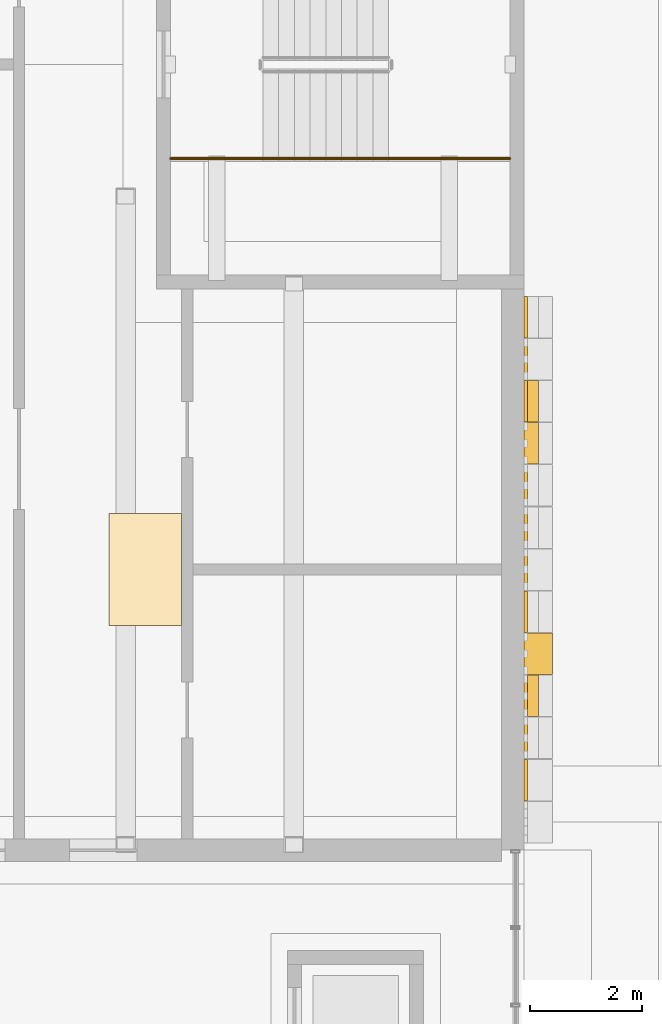
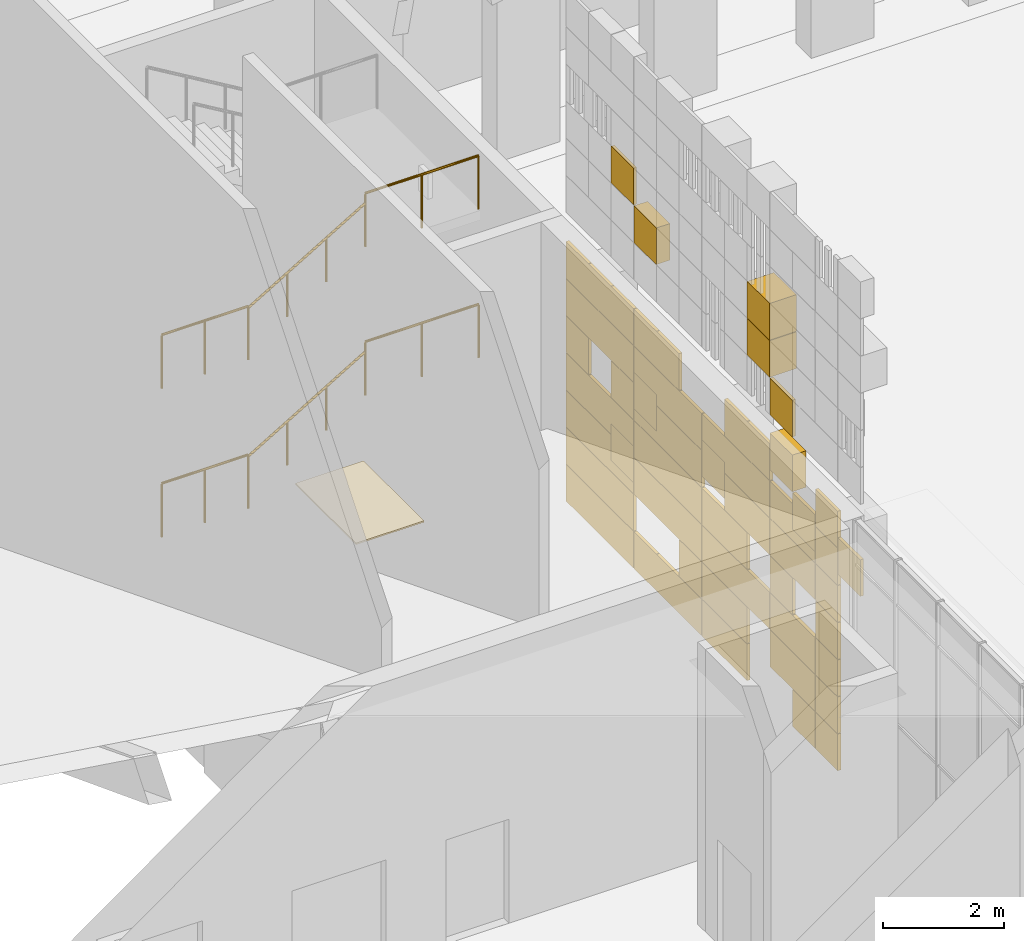
# One storey, part 93 of 125: 6 railings, 3 coverings.
"""IFC4 building model written with IfcOpenShell, lengths in metres."""

from ifc_helpers import new_model, si_unit, direction, frame, origin, origin_2d, place, context, subcontext, project, spatial, polyline, rectangle, circle, outline, extrude, material, layer, layer_set, type_object, element, save


model = new_model("IFC4")

# Units and contexts
model_context = context("Model", 3, precision=1e-05, world=origin(), true_north=direction((0.0, 1.0)))
body_context = subcontext(model_context, "Body", "Model", "MODEL_VIEW")
ifc_project = project(units=[si_unit("LENGTHUNIT", "METRE"), si_unit("AREAUNIT", "SQUARE_METRE"), si_unit("VOLUMEUNIT", "CUBIC_METRE"), si_unit("PLANEANGLEUNIT", "RADIAN"), si_unit("MASSUNIT", "GRAM", prefix="KILO")], contexts=[model_context])

# Site, building, storey
site_placement = place(None, origin())
site = spatial("IfcSite", under=ifc_project, at=site_placement, CompositionType="ELEMENT")
building_placement = place(site_placement, origin())
building = spatial("IfcBuilding", under=site, at=building_placement, Name="Sun Court Science Centre", CompositionType="ELEMENT")
storey_placement = place(building_placement, origin())
storey = spatial("IfcBuildingStorey", under=building, at=storey_placement, Name="L00", CompositionType="ELEMENT", Elevation=0.0)

# Covering
ifc_material_1 = material(Name="Gypsum board")
ifc_layer_1 = layer(ifc_material_1, 0.030029296875)
ifc_layer_set_1 = layer_set([ifc_layer_1], Name="Gypsum board")
covering_type_1 = type_object("IfcCoveringType", Name="Ceiling suspended 600 module", PredefinedType="CEILING", material=ifc_layer_set_1)
covering_1_placement = place(storey_placement, frame((0.0, 0.0, 5.27001953125)))
element("IfcCovering", 1, at=covering_1_placement, inside=storey, type_object=covering_type_1, Name="L00-077 ceiling", PredefinedType="CEILING", context=body_context, shape_type="SweptSolid", body=[
    extrude(outline(polyline([(17.89990234375, 60.0), (17.89990234375, 58.0), (16.60009765625, 58.0), (16.60009765625, 60.0), (17.89990234375, 60.0)])), origin(), (0.0, 0.0, 1.0), 0.030029296875),
])

# Railings
ifc_material_2 = material(Name="Steel S275", Category="steel")
railing_type_1 = type_object("IfcRailingType", Name="Guard 1100 steel balustrade", PredefinedType="GUARDRAIL", material=ifc_material_2)
railing_1_placement = place(storey_placement, frame((21.587890625, 66.326904296875, 1.5)))
element("IfcRailing", 2, at=railing_1_placement, inside=storey, type_object=railing_type_1, Name="L00 ST2 stair guard 3", PredefinedType="GUARDRAIL", context=body_context, shape_type="SweptSolid", body=[
    extrude(circle(Radius=0.02392578125, at=origin_2d()), frame((0.0, 0.0, 1.076171875), z_axis=(1.0, 0.0, 0.0), x_axis=(0.0, 1.0, 0.0)), (0.0, 0.0, 1.0), 2.162109375),
    extrude(circle(Radius=0.02099609375, at=origin_2d()), origin(), (0.0, 0.0, 1.0), 1.052001953125),
    extrude(circle(Radius=0.02099609375, at=origin_2d()), frame((1.0810546875, 0.0, 0.0)), (0.0, 0.0, 1.0), 1.052001953125),
    extrude(circle(Radius=0.02099609375, at=origin_2d()), frame((2.162109375, 0.0, 0.0)), (0.0, 0.0, 1.0), 1.052001953125),
])
railing_2_placement = place(storey_placement, frame((17.699951171875, 66.326904296875, 3.0)))
element("IfcRailing", 3, at=railing_2_placement, inside=storey, type_object=railing_type_1, Name="L00 ST2 stair guard 7", PredefinedType="GUARDRAIL", context=body_context, shape_type="SweptSolid", body=[
    extrude(circle(Radius=0.02392578125, at=origin_2d()), frame((0.0, 0.0, 1.076171875), z_axis=(1.0, 0.0, 0.0), x_axis=(0.0, 1.0, 0.0)), (0.0, 0.0, 1.0), 1.64794921875),
    extrude(circle(Radius=0.02099609375, at=origin_2d()), origin(), (0.0, 0.0, 1.0), 1.052001953125),
    extrude(circle(Radius=0.02099609375, at=origin_2d()), frame((0.823974609375, 0.0, 0.0)), (0.0, 0.0, 1.0), 1.052001953125),
    extrude(circle(Radius=0.02099609375, at=origin_2d()), frame((1.64794921875, 0.0, 0.0)), (0.0, 0.0, 1.0), 1.052001953125),
])
railing_3_placement = place(storey_placement, frame((21.587890625, 66.326904296875, 4.5)))
element("IfcRailing", 4, at=railing_3_placement, inside=storey, type_object=railing_type_1, Name="L00 ST2 stair guard 11", PredefinedType="GUARDRAIL", context=body_context, shape_type="SweptSolid", body=[
    extrude(circle(Radius=0.02392578125, at=origin_2d()), frame((0.0, 0.0, 1.076171875), z_axis=(1.0, 0.0, 0.0), x_axis=(0.0, 1.0, 0.0)), (0.0, 0.0, 1.0), 2.162109375),
    extrude(circle(Radius=0.02099609375, at=origin_2d()), origin(), (0.0, 0.0, 1.0), 1.052001953125),
    extrude(circle(Radius=0.02099609375, at=origin_2d()), frame((1.0810546875, 0.0, 0.0)), (0.0, 0.0, 1.0), 1.052001953125),
    extrude(circle(Radius=0.02099609375, at=origin_2d()), frame((2.162109375, 0.0, 0.0)), (0.0, 0.0, 1.0), 1.052001953125),
])
railing_4_placement = place(storey_placement, frame((17.699951171875, 66.326904296875, 0.0)))
element("IfcRailing", 5, at=railing_4_placement, inside=storey, type_object=railing_type_1, Name="L00 ST2 stair guard 15", PredefinedType="GUARDRAIL", context=body_context, shape_type="SweptSolid", body=[
    extrude(circle(Radius=0.02392578125, at=origin_2d()), frame((0.0, 0.0, 1.076171875), z_axis=(1.0, 0.0, 0.0), x_axis=(0.0, 1.0, 0.0)), (0.0, 0.0, 1.0), 1.64794921875),
    extrude(circle(Radius=0.02099609375, at=origin_2d()), origin(), (0.0, 0.0, 1.0), 1.052001953125),
    extrude(circle(Radius=0.02099609375, at=origin_2d()), frame((0.823974609375, 0.0, 0.0)), (0.0, 0.0, 1.0), 1.052001953125),
    extrude(circle(Radius=0.02099609375, at=origin_2d()), frame((1.64794921875, 0.0, 0.0)), (0.0, 0.0, 1.0), 1.052001953125),
])
ifc_material_3 = material(Name="Stainless steel", Category="steel")
railing_type_2 = type_object("IfcRailingType", Name="Handrail 900 stainless", PredefinedType="HANDRAIL", material=ifc_material_3)
for number, where, name in (
    (6, (19.347900390625, 66.326904296875, 0.166748046875), "L00 ST2 stair handrail 1"),
    (7, (19.347900390625, 66.326904296875, 3.166748046875), "L00 ST2 stair handrail 3"),
):
    element("IfcRailing", number, at=place(storey_placement, frame(where)), inside=storey, type_object=railing_type_2, Name=name, PredefinedType="HANDRAIL", context=body_context, shape_type="SweptSolid", body=[
        extrude(circle(Radius=0.02392578125, at=origin_2d()), frame((0.0, 0.0, 0.8759765625), z_axis=(0.859305625298, 0.0, 0.511462454469), x_axis=(0.0, 1.0, 0.0)), (0.0, 0.0, 1.0), 2.606689453125),
        extrude(circle(Radius=0.02099609375, at=origin_2d()), origin(), (0.0, 0.0, 1.0), 0.851806640625),
        extrude(circle(Radius=0.02099609375, at=origin_2d()), frame((0.74658203125, 0.0, 0.4443359375)), (0.0, 0.0, 1.0), 0.851806640625),
        extrude(circle(Radius=0.02099609375, at=origin_2d()), frame((1.493408203125, 0.0, 0.888916015625)), (0.0, 0.0, 1.0), 0.851806640625),
        extrude(circle(Radius=0.02099609375, at=origin_2d()), frame((2.239990234375, 0.0, 1.333251953125)), (0.0, 0.0, 1.0), 0.851806640625),
    ])

# Coverings
ifc_material_4 = material(Name="Red sandstone", Category="masonry")
ifc_layer_2 = layer(ifc_material_4, 0.06005859375)
ifc_layer_set_2 = layer_set([ifc_layer_2], Name="Red sandstone")
covering_type_2 = type_object("IfcCoveringType", Name="Red sandstone wall cladding 750", PredefinedType="CLADDING", material=ifc_layer_set_2)
covering_2_placement = place(storey_placement, origin())
element("IfcCovering", 8, at=covering_2_placement, inside=storey, type_object=covering_type_2, Name="Red sandstone wall cladding theatre-AUD-east face-L00 L00", PredefinedType="CLADDING", context=body_context, shape_type="SweptSolid", body=[
    extrude(rectangle(XDim=0.739990234375, YDim=0.06005859375, at=origin_2d()), frame((24.030029296875, 63.5, 0.0048828125), z_axis=(0.0, 0.0, 1.0), x_axis=(0.0, -1.0, 0.0)), (0.0, 0.0, 1.0), 0.739990234375),
    extrude(rectangle(XDim=0.739990234375, YDim=0.06005859375, at=origin_2d()), frame((24.030029296875, 62.75, 0.0048828125), z_axis=(0.0, 0.0, 1.0), x_axis=(0.0, -1.0, 0.0)), (0.0, 0.0, 1.0), 0.739990234375),
    extrude(rectangle(XDim=0.739990234375, YDim=0.06005859375, at=origin_2d()), frame((24.030029296875, 62.0, 0.0048828125), z_axis=(0.0, 0.0, 1.0), x_axis=(0.0, -1.0, 0.0)), (0.0, 0.0, 1.0), 0.739990234375),
    extrude(rectangle(XDim=0.739990234375, YDim=0.06005859375, at=origin_2d()), frame((24.030029296875, 61.25, 0.0048828125), z_axis=(0.0, 0.0, 1.0), x_axis=(0.0, -1.0, 0.0)), (0.0, 0.0, 1.0), 0.739990234375),
    extrude(rectangle(XDim=0.739990234375, YDim=0.06005859375, at=origin_2d()), frame((24.030029296875, 60.5, 0.0048828125), z_axis=(0.0, 0.0, 1.0), x_axis=(0.0, -1.0, 0.0)), (0.0, 0.0, 1.0), 0.739990234375),
    extrude(rectangle(XDim=0.739990234375, YDim=0.06005859375, at=origin_2d()), frame((24.030029296875, 59.75, 0.0048828125), z_axis=(0.0, 0.0, 1.0), x_axis=(0.0, -1.0, 0.0)), (0.0, 0.0, 1.0), 0.739990234375),
    extrude(rectangle(XDim=0.739990234375, YDim=0.06005859375, at=origin_2d()), frame((24.030029296875, 59.0, 0.0048828125), z_axis=(0.0, 0.0, 1.0), x_axis=(0.0, -1.0, 0.0)), (0.0, 0.0, 1.0), 0.739990234375),
    extrude(rectangle(XDim=0.739990234375, YDim=0.06005859375, at=origin_2d()), frame((24.030029296875, 58.25, 0.0048828125), z_axis=(0.0, 0.0, 1.0), x_axis=(0.0, -1.0, 0.0)), (0.0, 0.0, 1.0), 0.739990234375),
    extrude(rectangle(XDim=0.739990234375, YDim=0.06005859375, at=origin_2d()), frame((24.030029296875, 56.0, 0.0048828125), z_axis=(0.0, 0.0, 1.0), x_axis=(0.0, -1.0, 0.0)), (0.0, 0.0, 1.0), 0.739990234375),
    extrude(rectangle(XDim=0.739990234375, YDim=0.06005859375, at=origin_2d()), frame((24.030029296875, 55.25, 0.0048828125), z_axis=(0.0, 0.0, 1.0), x_axis=(0.0, -1.0, 0.0)), (0.0, 0.0, 1.0), 0.739990234375),
    extrude(rectangle(XDim=0.739990234375, YDim=0.06005859375, at=origin_2d()), frame((24.030029296875, 63.5, 0.7548828125), z_axis=(0.0, 0.0, 1.0), x_axis=(0.0, -1.0, 0.0)), (0.0, 0.0, 1.0), 0.739990234375),
    extrude(rectangle(XDim=0.739990234375, YDim=0.06005859375, at=origin_2d()), frame((24.030029296875, 62.75, 0.7548828125), z_axis=(0.0, 0.0, 1.0), x_axis=(0.0, -1.0, 0.0)), (0.0, 0.0, 1.0), 0.739990234375),
    extrude(rectangle(XDim=0.739990234375, YDim=0.06005859375, at=origin_2d()), frame((24.030029296875, 62.0, 0.7548828125), z_axis=(0.0, 0.0, 1.0), x_axis=(0.0, -1.0, 0.0)), (0.0, 0.0, 1.0), 0.739990234375),
    extrude(rectangle(XDim=0.739990234375, YDim=0.06005859375, at=origin_2d()), frame((24.030029296875, 59.75, 0.7548828125), z_axis=(0.0, 0.0, 1.0), x_axis=(0.0, -1.0, 0.0)), (0.0, 0.0, 1.0), 0.739990234375),
    extrude(rectangle(XDim=0.739990234375, YDim=0.06005859375, at=origin_2d()), frame((24.030029296875, 59.0, 0.7548828125), z_axis=(0.0, 0.0, 1.0), x_axis=(0.0, -1.0, 0.0)), (0.0, 0.0, 1.0), 0.739990234375),
    extrude(rectangle(XDim=0.739990234375, YDim=0.06005859375, at=origin_2d()), frame((24.030029296875, 58.25, 0.7548828125), z_axis=(0.0, 0.0, 1.0), x_axis=(0.0, -1.0, 0.0)), (0.0, 0.0, 1.0), 0.739990234375),
    extrude(rectangle(XDim=0.739990234375, YDim=0.06005859375, at=origin_2d()), frame((24.030029296875, 56.75, 0.7548828125), z_axis=(0.0, 0.0, 1.0), x_axis=(0.0, -1.0, 0.0)), (0.0, 0.0, 1.0), 0.739990234375),
    extrude(rectangle(XDim=0.739990234375, YDim=0.06005859375, at=origin_2d()), frame((24.030029296875, 56.0, 0.7548828125), z_axis=(0.0, 0.0, 1.0), x_axis=(0.0, -1.0, 0.0)), (0.0, 0.0, 1.0), 0.739990234375),
    extrude(rectangle(XDim=0.739990234375, YDim=0.06005859375, at=origin_2d()), frame((24.030029296875, 55.25, 0.7548828125), z_axis=(0.0, 0.0, 1.0), x_axis=(0.0, -1.0, 0.0)), (0.0, 0.0, 1.0), 0.739990234375),
    extrude(rectangle(XDim=0.739990234375, YDim=0.06005859375, at=origin_2d()), frame((24.030029296875, 63.5, 1.5048828125), z_axis=(0.0, 0.0, 1.0), x_axis=(0.0, -1.0, 0.0)), (0.0, 0.0, 1.0), 0.739990234375),
    extrude(rectangle(XDim=0.739990234375, YDim=0.06005859375, at=origin_2d()), frame((24.030029296875, 62.75, 1.5048828125), z_axis=(0.0, 0.0, 1.0), x_axis=(0.0, -1.0, 0.0)), (0.0, 0.0, 1.0), 0.739990234375),
    extrude(rectangle(XDim=0.739990234375, YDim=0.06005859375, at=origin_2d()), frame((24.030029296875, 62.0, 1.5048828125), z_axis=(0.0, 0.0, 1.0), x_axis=(0.0, -1.0, 0.0)), (0.0, 0.0, 1.0), 0.739990234375),
    extrude(rectangle(XDim=0.739990234375, YDim=0.06005859375, at=origin_2d()), frame((24.030029296875, 61.25, 1.5048828125), z_axis=(0.0, 0.0, 1.0), x_axis=(0.0, -1.0, 0.0)), (0.0, 0.0, 1.0), 0.739990234375),
    extrude(rectangle(XDim=0.739990234375, YDim=0.06005859375, at=origin_2d()), frame((24.030029296875, 60.5, 1.5048828125), z_axis=(0.0, 0.0, 1.0), x_axis=(0.0, -1.0, 0.0)), (0.0, 0.0, 1.0), 0.739990234375),
    extrude(rectangle(XDim=0.739990234375, YDim=0.06005859375, at=origin_2d()), frame((24.030029296875, 59.75, 1.5048828125), z_axis=(0.0, 0.0, 1.0), x_axis=(0.0, -1.0, 0.0)), (0.0, 0.0, 1.0), 0.739990234375),
    extrude(rectangle(XDim=0.739990234375, YDim=0.06005859375, at=origin_2d()), frame((24.030029296875, 59.0, 1.5048828125), z_axis=(0.0, 0.0, 1.0), x_axis=(0.0, -1.0, 0.0)), (0.0, 0.0, 1.0), 0.739990234375),
    extrude(rectangle(XDim=0.739990234375, YDim=0.06005859375, at=origin_2d()), frame((24.030029296875, 58.25, 1.5048828125), z_axis=(0.0, 0.0, 1.0), x_axis=(0.0, -1.0, 0.0)), (0.0, 0.0, 1.0), 0.739990234375),
    extrude(rectangle(XDim=0.739990234375, YDim=0.06005859375, at=origin_2d()), frame((24.030029296875, 57.5, 1.5048828125), z_axis=(0.0, 0.0, 1.0), x_axis=(0.0, -1.0, 0.0)), (0.0, 0.0, 1.0), 0.739990234375),
    extrude(rectangle(XDim=0.739990234375, YDim=0.06005859375, at=origin_2d()), frame((24.030029296875, 56.75, 1.5048828125), z_axis=(0.0, 0.0, 1.0), x_axis=(0.0, -1.0, 0.0)), (0.0, 0.0, 1.0), 0.739990234375),
    extrude(rectangle(XDim=0.739990234375, YDim=0.06005859375, at=origin_2d()), frame((24.030029296875, 56.0, 1.5048828125), z_axis=(0.0, 0.0, 1.0), x_axis=(0.0, -1.0, 0.0)), (0.0, 0.0, 1.0), 0.739990234375),
    extrude(rectangle(XDim=0.739990234375, YDim=0.06005859375, at=origin_2d()), frame((24.030029296875, 55.25, 1.5048828125), z_axis=(0.0, 0.0, 1.0), x_axis=(0.0, -1.0, 0.0)), (0.0, 0.0, 1.0), 0.739990234375),
    extrude(rectangle(XDim=0.739990234375, YDim=0.06005859375, at=origin_2d()), frame((24.030029296875, 63.5, 2.2548828125), z_axis=(0.0, 0.0, 1.0), x_axis=(0.0, -1.0, 0.0)), (0.0, 0.0, 1.0), 0.739990234375),
    extrude(rectangle(XDim=0.739990234375, YDim=0.06005859375, at=origin_2d()), frame((24.030029296875, 62.75, 2.2548828125), z_axis=(0.0, 0.0, 1.0), x_axis=(0.0, -1.0, 0.0)), (0.0, 0.0, 1.0), 0.739990234375),
    extrude(rectangle(XDim=0.739990234375, YDim=0.06005859375, at=origin_2d()), frame((24.030029296875, 62.0, 2.2548828125), z_axis=(0.0, 0.0, 1.0), x_axis=(0.0, -1.0, 0.0)), (0.0, 0.0, 1.0), 0.739990234375),
    extrude(rectangle(XDim=0.739990234375, YDim=0.06005859375, at=origin_2d()), frame((24.030029296875, 61.25, 2.2548828125), z_axis=(0.0, 0.0, 1.0), x_axis=(0.0, -1.0, 0.0)), (0.0, 0.0, 1.0), 0.739990234375),
    extrude(rectangle(XDim=0.739990234375, YDim=0.06005859375, at=origin_2d()), frame((24.030029296875, 60.5, 2.2548828125), z_axis=(0.0, 0.0, 1.0), x_axis=(0.0, -1.0, 0.0)), (0.0, 0.0, 1.0), 0.739990234375),
    extrude(rectangle(XDim=0.739990234375, YDim=0.06005859375, at=origin_2d()), frame((24.030029296875, 59.75, 2.2548828125), z_axis=(0.0, 0.0, 1.0), x_axis=(0.0, -1.0, 0.0)), (0.0, 0.0, 1.0), 0.739990234375),
    extrude(rectangle(XDim=0.739990234375, YDim=0.06005859375, at=origin_2d()), frame((24.030029296875, 59.0, 2.2548828125), z_axis=(0.0, 0.0, 1.0), x_axis=(0.0, -1.0, 0.0)), (0.0, 0.0, 1.0), 0.739990234375),
    extrude(rectangle(XDim=0.739990234375, YDim=0.06005859375, at=origin_2d()), frame((24.030029296875, 58.25, 2.2548828125), z_axis=(0.0, 0.0, 1.0), x_axis=(0.0, -1.0, 0.0)), (0.0, 0.0, 1.0), 0.739990234375),
    extrude(rectangle(XDim=0.739990234375, YDim=0.06005859375, at=origin_2d()), frame((24.030029296875, 56.75, 2.2548828125), z_axis=(0.0, 0.0, 1.0), x_axis=(0.0, -1.0, 0.0)), (0.0, 0.0, 1.0), 0.739990234375),
    extrude(rectangle(XDim=0.739990234375, YDim=0.06005859375, at=origin_2d()), frame((24.030029296875, 55.25, 2.2548828125), z_axis=(0.0, 0.0, 1.0), x_axis=(0.0, -1.0, 0.0)), (0.0, 0.0, 1.0), 0.739990234375),
    extrude(rectangle(XDim=0.739990234375, YDim=0.06005859375, at=origin_2d()), frame((24.030029296875, 63.5, 3.0048828125), z_axis=(0.0, 0.0, 1.0), x_axis=(0.0, -1.0, 0.0)), (0.0, 0.0, 1.0), 0.739990234375),
    extrude(rectangle(XDim=0.739990234375, YDim=0.06005859375, at=origin_2d()), frame((24.030029296875, 62.0, 3.0048828125), z_axis=(0.0, 0.0, 1.0), x_axis=(0.0, -1.0, 0.0)), (0.0, 0.0, 1.0), 0.739990234375),
    extrude(rectangle(XDim=0.739990234375, YDim=0.06005859375, at=origin_2d()), frame((24.030029296875, 61.25, 3.0048828125), z_axis=(0.0, 0.0, 1.0), x_axis=(0.0, -1.0, 0.0)), (0.0, 0.0, 1.0), 0.739990234375),
    extrude(rectangle(XDim=0.739990234375, YDim=0.06005859375, at=origin_2d()), frame((24.030029296875, 60.5, 3.0048828125), z_axis=(0.0, 0.0, 1.0), x_axis=(0.0, -1.0, 0.0)), (0.0, 0.0, 1.0), 0.739990234375),
    extrude(rectangle(XDim=0.739990234375, YDim=0.06005859375, at=origin_2d()), frame((24.030029296875, 59.75, 3.0048828125), z_axis=(0.0, 0.0, 1.0), x_axis=(0.0, -1.0, 0.0)), (0.0, 0.0, 1.0), 0.739990234375),
    extrude(rectangle(XDim=0.739990234375, YDim=0.06005859375, at=origin_2d()), frame((24.030029296875, 58.25, 3.0048828125), z_axis=(0.0, 0.0, 1.0), x_axis=(0.0, -1.0, 0.0)), (0.0, 0.0, 1.0), 0.739990234375),
    extrude(rectangle(XDim=0.739990234375, YDim=0.06005859375, at=origin_2d()), frame((24.030029296875, 57.5, 3.0048828125), z_axis=(0.0, 0.0, 1.0), x_axis=(0.0, -1.0, 0.0)), (0.0, 0.0, 1.0), 0.739990234375),
    extrude(rectangle(XDim=0.739990234375, YDim=0.06005859375, at=origin_2d()), frame((24.030029296875, 56.75, 3.0048828125), z_axis=(0.0, 0.0, 1.0), x_axis=(0.0, -1.0, 0.0)), (0.0, 0.0, 1.0), 0.739990234375),
    extrude(rectangle(XDim=0.739990234375, YDim=0.06005859375, at=origin_2d()), frame((24.030029296875, 56.0, 3.0048828125), z_axis=(0.0, 0.0, 1.0), x_axis=(0.0, -1.0, 0.0)), (0.0, 0.0, 1.0), 0.739990234375),
    extrude(rectangle(XDim=0.739990234375, YDim=0.06005859375, at=origin_2d()), frame((24.030029296875, 55.25, 3.0048828125), z_axis=(0.0, 0.0, 1.0), x_axis=(0.0, -1.0, 0.0)), (0.0, 0.0, 1.0), 0.739990234375),
    extrude(rectangle(XDim=0.739990234375, YDim=0.06005859375, at=origin_2d()), frame((24.030029296875, 63.5, 3.7548828125), z_axis=(0.0, 0.0, 1.0), x_axis=(0.0, -1.0, 0.0)), (0.0, 0.0, 1.0), 0.739990234375),
    extrude(rectangle(XDim=0.739990234375, YDim=0.06005859375, at=origin_2d()), frame((24.030029296875, 62.75, 3.7548828125), z_axis=(0.0, 0.0, 1.0), x_axis=(0.0, -1.0, 0.0)), (0.0, 0.0, 1.0), 0.739990234375),
    extrude(rectangle(XDim=0.739990234375, YDim=0.06005859375, at=origin_2d()), frame((24.030029296875, 62.0, 3.7548828125), z_axis=(0.0, 0.0, 1.0), x_axis=(0.0, -1.0, 0.0)), (0.0, 0.0, 1.0), 0.739990234375),
    extrude(rectangle(XDim=0.739990234375, YDim=0.06005859375, at=origin_2d()), frame((24.030029296875, 61.25, 3.7548828125), z_axis=(0.0, 0.0, 1.0), x_axis=(0.0, -1.0, 0.0)), (0.0, 0.0, 1.0), 0.739990234375),
    extrude(rectangle(XDim=0.739990234375, YDim=0.06005859375, at=origin_2d()), frame((24.030029296875, 60.5, 3.7548828125), z_axis=(0.0, 0.0, 1.0), x_axis=(0.0, -1.0, 0.0)), (0.0, 0.0, 1.0), 0.739990234375),
    extrude(rectangle(XDim=0.739990234375, YDim=0.06005859375, at=origin_2d()), frame((24.030029296875, 59.75, 3.7548828125), z_axis=(0.0, 0.0, 1.0), x_axis=(0.0, -1.0, 0.0)), (0.0, 0.0, 1.0), 0.739990234375),
    extrude(rectangle(XDim=0.739990234375, YDim=0.06005859375, at=origin_2d()), frame((24.030029296875, 59.0, 3.7548828125), z_axis=(0.0, 0.0, 1.0), x_axis=(0.0, -1.0, 0.0)), (0.0, 0.0, 1.0), 0.739990234375),
    extrude(rectangle(XDim=0.739990234375, YDim=0.06005859375, at=origin_2d()), frame((24.030029296875, 58.25, 3.7548828125), z_axis=(0.0, 0.0, 1.0), x_axis=(0.0, -1.0, 0.0)), (0.0, 0.0, 1.0), 0.739990234375),
    extrude(rectangle(XDim=0.739990234375, YDim=0.06005859375, at=origin_2d()), frame((24.030029296875, 57.5, 3.7548828125), z_axis=(0.0, 0.0, 1.0), x_axis=(0.0, -1.0, 0.0)), (0.0, 0.0, 1.0), 0.739990234375),
    extrude(rectangle(XDim=0.739990234375, YDim=0.06005859375, at=origin_2d()), frame((24.030029296875, 56.75, 3.7548828125), z_axis=(0.0, 0.0, 1.0), x_axis=(0.0, -1.0, 0.0)), (0.0, 0.0, 1.0), 0.739990234375),
    extrude(rectangle(XDim=0.739990234375, YDim=0.06005859375, at=origin_2d()), frame((24.030029296875, 56.0, 3.7548828125), z_axis=(0.0, 0.0, 1.0), x_axis=(0.0, -1.0, 0.0)), (0.0, 0.0, 1.0), 0.739990234375),
    extrude(rectangle(XDim=0.739990234375, YDim=0.06005859375, at=origin_2d()), frame((24.030029296875, 55.25, 3.7548828125), z_axis=(0.0, 0.0, 1.0), x_axis=(0.0, -1.0, 0.0)), (0.0, 0.0, 1.0), 0.739990234375),
    extrude(rectangle(XDim=0.739990234375, YDim=0.06005859375, at=origin_2d()), frame((24.030029296875, 63.5, 4.5048828125), z_axis=(0.0, 0.0, 1.0), x_axis=(0.0, -1.0, 0.0)), (0.0, 0.0, 1.0), 0.739990234375),
    extrude(rectangle(XDim=0.739990234375, YDim=0.06005859375, at=origin_2d()), frame((24.030029296875, 62.75, 4.5048828125), z_axis=(0.0, 0.0, 1.0), x_axis=(0.0, -1.0, 0.0)), (0.0, 0.0, 1.0), 0.739990234375),
    extrude(rectangle(XDim=0.739990234375, YDim=0.06005859375, at=origin_2d()), frame((24.030029296875, 62.0, 4.5048828125), z_axis=(0.0, 0.0, 1.0), x_axis=(0.0, -1.0, 0.0)), (0.0, 0.0, 1.0), 0.739990234375),
    extrude(rectangle(XDim=0.739990234375, YDim=0.06005859375, at=origin_2d()), frame((24.030029296875, 61.25, 4.5048828125), z_axis=(0.0, 0.0, 1.0), x_axis=(0.0, -1.0, 0.0)), (0.0, 0.0, 1.0), 0.739990234375),
    extrude(rectangle(XDim=0.739990234375, YDim=0.06005859375, at=origin_2d()), frame((24.030029296875, 60.5, 4.5048828125), z_axis=(0.0, 0.0, 1.0), x_axis=(0.0, -1.0, 0.0)), (0.0, 0.0, 1.0), 0.739990234375),
    extrude(rectangle(XDim=0.739990234375, YDim=0.06005859375, at=origin_2d()), frame((24.030029296875, 58.25, 4.5048828125), z_axis=(0.0, 0.0, 1.0), x_axis=(0.0, -1.0, 0.0)), (0.0, 0.0, 1.0), 0.739990234375),
    extrude(rectangle(XDim=0.739990234375, YDim=0.06005859375, at=origin_2d()), frame((24.030029296875, 57.5, 4.5048828125), z_axis=(0.0, 0.0, 1.0), x_axis=(0.0, -1.0, 0.0)), (0.0, 0.0, 1.0), 0.739990234375),
    extrude(rectangle(XDim=0.739990234375, YDim=0.06005859375, at=origin_2d()), frame((24.030029296875, 55.25, 4.5048828125), z_axis=(0.0, 0.0, 1.0), x_axis=(0.0, -1.0, 0.0)), (0.0, 0.0, 1.0), 0.739990234375),
])
ifc_material_5 = material(Name="Terracotta shade 5", Category="masonry")
ifc_layer_3 = layer(ifc_material_5, 0.06005859375)
ifc_layer_set_3 = layer_set([ifc_layer_3], Name="Terracotta shade 5")
covering_type_3 = type_object("IfcCoveringType", Name="Terracotta pixel panel shade 5", PredefinedType="CLADDING", material=ifc_layer_set_3)
covering_3_placement = place(storey_placement, origin())
element("IfcCovering", 9, at=covering_3_placement, inside=storey, type_object=covering_type_3, Name="Terracotta pixel cladding shade 5 east party wall L00", PredefinedType="CLADDING", context=body_context, shape_type="SweptSolid", body=[
    extrude(rectangle(XDim=0.739990234375, YDim=0.260009765625, at=origin_2d()), frame((24.1298828125, 62.0, 1.72998046875), z_axis=(0.0, 0.0, 1.0), x_axis=(0.0, -1.0, 0.0)), (0.0, 0.0, 1.0), 0.739990234375),
    extrude(rectangle(XDim=0.739990234375, YDim=0.260009765625, at=origin_2d()), frame((24.1298828125, 61.25, 3.22998046875), z_axis=(0.0, 0.0, 1.0), x_axis=(0.0, -1.0, 0.0)), (0.0, 0.0, 1.0), 0.739990234375),
    extrude(rectangle(XDim=0.739990234375, YDim=0.06005859375, at=origin_2d()), frame((24.030029296875, 59.0, 3.22998046875), z_axis=(0.0, 0.0, 1.0), x_axis=(0.0, -1.0, 0.0)), (0.0, 0.0, 1.0), 0.739990234375),
    extrude(rectangle(XDim=0.739990234375, YDim=0.06005859375, at=origin_2d()), frame((24.030029296875, 56.0, 3.97998046875), z_axis=(0.0, 0.0, 1.0), x_axis=(0.0, -1.0, 0.0)), (0.0, 0.0, 1.0), 0.739990234375),
    extrude(rectangle(XDim=0.739990234375, YDim=0.06005859375, at=origin_2d()), frame((24.030029296875, 54.5, 3.97998046875), z_axis=(0.0, 0.0, 1.0), x_axis=(0.0, -1.0, 0.0)), (0.0, 0.0, 1.0), 0.739990234375),
    extrude(rectangle(XDim=0.739990234375, YDim=0.260009765625, at=origin_2d()), frame((24.1298828125, 56.75, 4.72998046875), z_axis=(0.0, 0.0, 1.0), x_axis=(0.0, -1.0, 0.0)), (0.0, 0.0, 1.0), 0.739990234375),
    extrude(rectangle(XDim=0.739990234375, YDim=0.06005859375, at=origin_2d()), frame((24.030029296875, 56.75, 5.8388671875), z_axis=(0.0, 0.0, 1.0), x_axis=(0.0, -1.0, 0.0)), (0.0, 0.0, 1.0), 0.739990234375),
    extrude(rectangle(XDim=0.739990234375, YDim=0.260009765625, at=origin_2d()), frame((24.1298828125, 61.25, 6.5888671875), z_axis=(0.0, 0.0, 1.0), x_axis=(0.0, -1.0, 0.0)), (0.0, 0.0, 1.0), 0.739990234375),
    extrude(rectangle(XDim=0.739990234375, YDim=0.510009765625, at=origin_2d()), frame((24.2548828125, 57.5, 6.5888671875), z_axis=(0.0, 0.0, 1.0), x_axis=(0.0, -1.0, 0.0)), (0.0, 0.0, 1.0), 0.739990234375),
    extrude(rectangle(XDim=0.739990234375, YDim=0.06005859375, at=origin_2d()), frame((24.030029296875, 62.0, 7.3388671875), z_axis=(0.0, 0.0, 1.0), x_axis=(0.0, -1.0, 0.0)), (0.0, 0.0, 1.0), 0.739990234375),
    extrude(rectangle(XDim=0.739990234375, YDim=0.510009765625, at=origin_2d()), frame((24.2548828125, 57.5, 7.3388671875), z_axis=(0.0, 0.0, 1.0), x_axis=(0.0, -1.0, 0.0)), (0.0, 0.0, 1.0), 0.739990234375),
])

save(model, "model.ifc")
